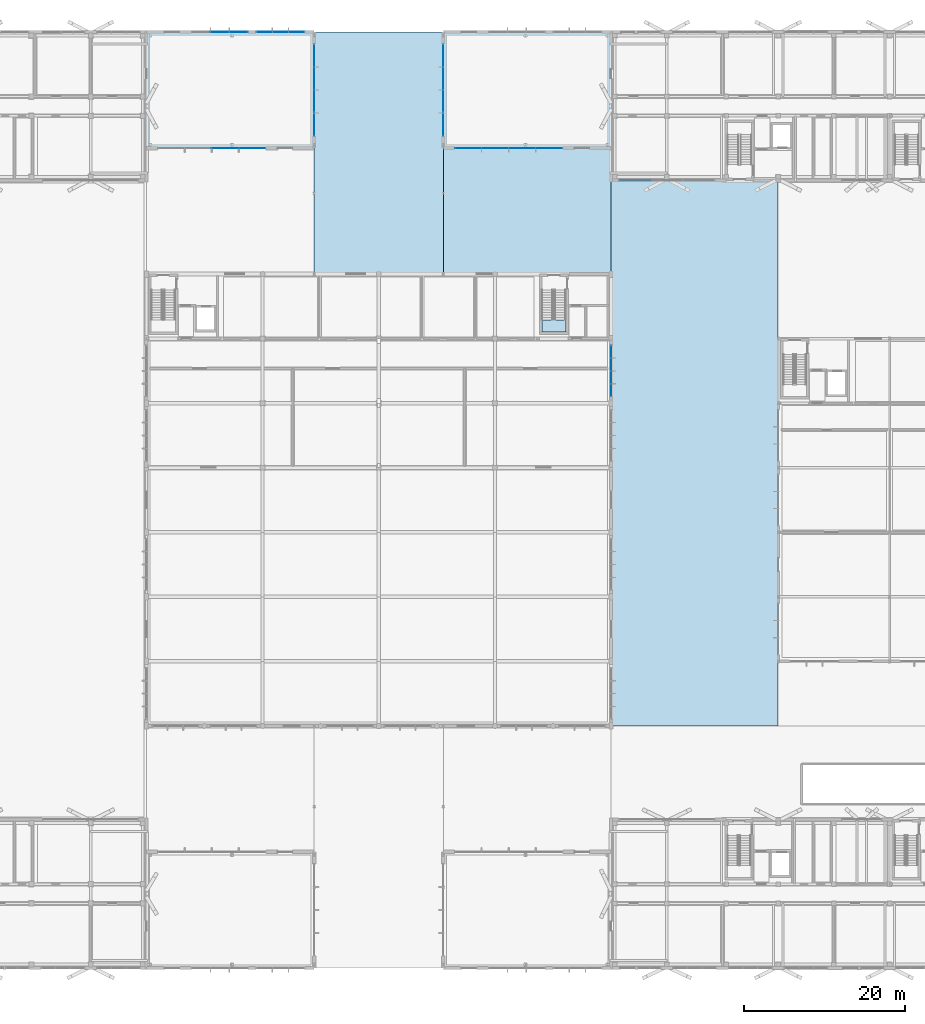
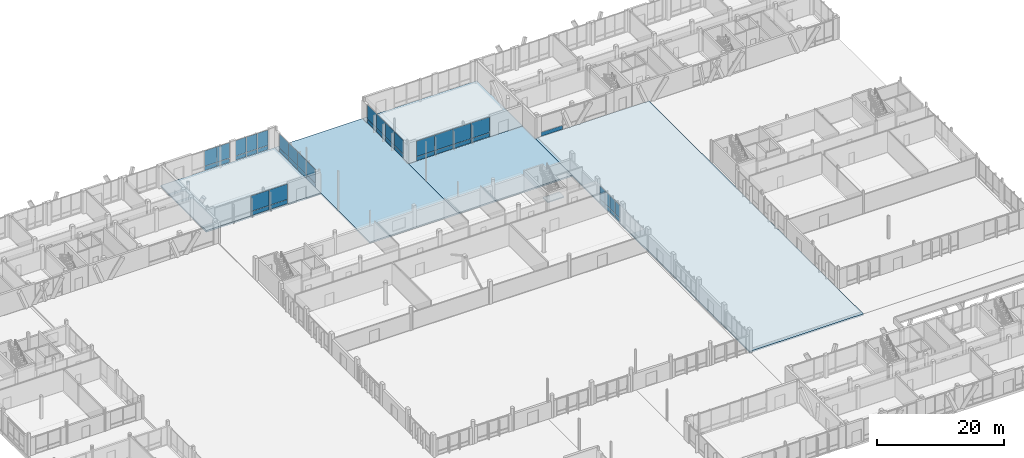
# One storey, part 184 of 233: 47 plates, 6 slabs, 9 elements without a shape of their own.
"""IFC4 building model written with IfcOpenShell, lengths in metres."""

from ifc_helpers import new_model, si_unit, direction, frame, origin, origin_2d, place, context, subcontext, project, spatial, polyline, rectangle, outline, extrude, material, layer, layer_set, type_object, element, aggregate, save


model = new_model("IFC4")

# Units and contexts
model_context = context("Model", 3, precision=1e-05, world=origin(), true_north=direction((0.0, 1.0)))
body_context = subcontext(model_context, "Body", "Model", "MODEL_VIEW")
ifc_project = project(units=[si_unit("LENGTHUNIT", "METRE"), si_unit("AREAUNIT", "SQUARE_METRE"), si_unit("VOLUMEUNIT", "CUBIC_METRE"), si_unit("PLANEANGLEUNIT", "RADIAN"), si_unit("MASSUNIT", "GRAM", prefix="KILO")], contexts=[model_context])

# Site, building, storey
site_placement = place(None, origin())
site = spatial("IfcSite", under=ifc_project, at=site_placement, CompositionType="ELEMENT")
building_placement = place(site_placement, origin())
building = spatial("IfcBuilding", under=site, at=building_placement, Name="Zavelmont Quarter", CompositionType="ELEMENT")
storey_placement = place(building_placement, origin())
storey = spatial("IfcBuildingStorey", under=building, at=storey_placement, Name="L00", CompositionType="ELEMENT", Elevation=0.0)

# Curtain wall, plates
ifc_material_1 = material(Name="Thermally broken aluminium and double low-E safety glazing", Category="aluminium")
curtain_wall_type_1 = type_object("IfcCurtainWallType", Name="CW-640X336", PredefinedType="NOTDEFINED", material=ifc_material_1)
curtain_wall_1_placement = place(storey_placement, origin())
curtain_wall_1 = element("IfcCurtainWall", 1, at=curtain_wall_1_placement, inside=storey, type_object=curtain_wall_type_1, Name="L00 unitised curtain wall CW-640X336", PredefinedType="NOTDEFINED")
ifc_material_2 = material(Name="Insulated anodised-aluminium spandrel panel", Category="aluminium")
ifc_layer_1 = layer(ifc_material_2, 0.0400390625)
ifc_layer_set_1 = layer_set([ifc_layer_1], Name="Insulated anodised-aluminium spandrel panel")
plate_type_1 = type_object("IfcPlateType", Name="CWP-SPD-1495X700", PredefinedType="CURTAIN_PANEL", material=ifc_layer_set_1)
plate_1_placement = place(storey_placement, frame((112.800048828125, 71.617431640625, 0.06982421875), z_axis=(0.0, 0.0, 1.0), x_axis=(0.0, 1.0, 0.0)))
plate_1 = element("IfcPlate", 2, at=plate_1_placement, type_object=plate_type_1, Name="CW-640X336 panel 1.1", PredefinedType="CURTAIN_PANEL", context=body_context, shape_type="SweptSolid", body=[
    extrude(rectangle(XDim=1.4951171875, YDim=0.0400390625, at=origin_2d()), origin(), (0.0, 0.0, 1.0), 0.700927734375),
])
plate_2_placement = place(storey_placement, frame((112.800048828125, 76.382568359375, 0.06982421875), z_axis=(0.0, 0.0, 1.0), x_axis=(0.0, 1.0, 0.0)))
plate_2 = element("IfcPlate", 3, at=plate_2_placement, type_object=plate_type_1, Name="CW-640X336 panel 4.1", PredefinedType="CURTAIN_PANEL", context=body_context, shape_type="SweptSolid", body=[
    extrude(rectangle(XDim=1.4951171875, YDim=0.0400390625, at=origin_2d()), origin(), (0.0, 0.0, 1.0), 0.700927734375),
])
ifc_layer_2 = layer(ifc_material_2, 0.0400390625)
ifc_layer_set_2 = layer_set([ifc_layer_2], Name="Insulated anodised-aluminium spandrel panel")
plate_type_2 = type_object("IfcPlateType", Name="CWP-SPD-1530X700", PredefinedType="CURTAIN_PANEL", material=ifc_layer_set_2)
plate_3_placement = place(storey_placement, frame((112.800048828125, 73.199951171875, 0.06982421875), z_axis=(0.0, 0.0, 1.0), x_axis=(0.0, 1.0, 0.0)))
plate_3 = element("IfcPlate", 4, at=plate_3_placement, type_object=plate_type_2, Name="CW-640X336 panel 2.1", PredefinedType="CURTAIN_PANEL", context=body_context, shape_type="SweptSolid", body=[
    extrude(rectangle(XDim=1.530029296875, YDim=0.0400390625, at=origin_2d()), origin(), (0.0, 0.0, 1.0), 0.700927734375),
])
plate_4_placement = place(storey_placement, frame((112.800048828125, 74.800048828125, 0.06982421875), z_axis=(0.0, 0.0, 1.0), x_axis=(0.0, 1.0, 0.0)))
plate_4 = element("IfcPlate", 5, at=plate_4_placement, type_object=plate_type_2, Name="CW-640X336 panel 3.1", PredefinedType="CURTAIN_PANEL", context=body_context, shape_type="SweptSolid", body=[
    extrude(rectangle(XDim=1.530029296875, YDim=0.0400390625, at=origin_2d()), origin(), (0.0, 0.0, 1.0), 0.700927734375),
])

curtain_wall_type_2 = type_object("IfcCurtainWallType", Name="CW-600X390", PredefinedType="NOTDEFINED", material=ifc_material_1)
curtain_wall_2_placement = place(storey_placement, origin())
curtain_wall_2 = element("IfcCurtainWall", 6, at=curtain_wall_2_placement, inside=storey, type_object=curtain_wall_type_2, Name="L00 unitised curtain wall CW-600X390", PredefinedType="NOTDEFINED")
ifc_layer_3 = layer(ifc_material_2, 0.0400390625)
ifc_layer_set_3 = layer_set([ifc_layer_3], Name="Insulated anodised-aluminium spandrel panel")
plate_type_3 = type_object("IfcPlateType", Name="CWP-SPD-1910X760", PredefinedType="CURTAIN_PANEL", material=ifc_layer_set_3)
plate_5_placement = place(storey_placement, frame((69.81494140625, 116.0, 0.06005859375), z_axis=(0.0, 0.0, 1.0), x_axis=(1.0, 0.0, 0.0)))
plate_5 = element("IfcPlate", 7, at=plate_5_placement, type_object=plate_type_3, Name="CW-600X390 panel 1.1", PredefinedType="CURTAIN_PANEL", context=body_context, shape_type="SweptSolid", body=[
    extrude(rectangle(XDim=1.909912109375, YDim=0.0400390625, at=origin_2d()), origin(), (0.0, 0.0, 1.0), 0.760009765625),
])
plate_6_placement = place(storey_placement, frame((73.784912109375, 116.0, 0.06005859375), z_axis=(0.0, 0.0, 1.0), x_axis=(1.0, 0.0, 0.0)))
plate_6 = element("IfcPlate", 8, at=plate_6_placement, type_object=plate_type_3, Name="CW-600X390 panel 3.1", PredefinedType="CURTAIN_PANEL", context=body_context, shape_type="SweptSolid", body=[
    extrude(rectangle(XDim=1.909912109375, YDim=0.0400390625, at=origin_2d()), origin(), (0.0, 0.0, 1.0), 0.760009765625),
])
ifc_layer_4 = layer(ifc_material_2, 0.0400390625)
ifc_layer_set_4 = layer_set([ifc_layer_4], Name="Insulated anodised-aluminium spandrel panel")
plate_type_4 = type_object("IfcPlateType", Name="CWP-SPD-1940X760", PredefinedType="CURTAIN_PANEL", material=ifc_layer_set_4)
plate_7_placement = place(storey_placement, frame((71.800048828125, 116.0, 0.06005859375), z_axis=(0.0, 0.0, 1.0), x_axis=(1.0, 0.0, 0.0)))
plate_7 = element("IfcPlate", 9, at=plate_7_placement, type_object=plate_type_4, Name="CW-600X390 panel 2.1", PredefinedType="CURTAIN_PANEL", context=body_context, shape_type="SweptSolid", body=[
    extrude(rectangle(XDim=1.93994140625, YDim=0.0400390625, at=origin_2d()), origin(), (0.0, 0.0, 1.0), 0.760009765625),
])

curtain_wall_type_3 = type_object("IfcCurtainWallType", Name="CW-700X390", PredefinedType="NOTDEFINED", material=ifc_material_1)
curtain_wall_3_placement = place(storey_placement, origin())
curtain_wall_3 = element("IfcCurtainWall", 10, at=curtain_wall_3_placement, inside=storey, type_object=curtain_wall_type_3, Name="L00 unitised curtain wall CW-700X390", PredefinedType="NOTDEFINED")
ifc_layer_5 = layer(ifc_material_2, 0.0400390625)
ifc_layer_set_5 = layer_set([ifc_layer_5], Name="Insulated anodised-aluminium spandrel panel")
plate_type_5 = type_object("IfcPlateType", Name="CWP-SPD-2245X760", PredefinedType="CURTAIN_PANEL", material=ifc_layer_set_5)
plate_8_placement = place(storey_placement, frame((66.618408203125, 116.0, 0.06005859375), z_axis=(0.0, 0.0, 1.0), x_axis=(1.0, 0.0, 0.0)))
plate_8 = element("IfcPlate", 11, at=plate_8_placement, type_object=plate_type_5, Name="CW-700X390 panel 3.1", PredefinedType="CURTAIN_PANEL", context=body_context, shape_type="SweptSolid", body=[
    extrude(rectangle(XDim=2.243408203125, YDim=0.0400390625, at=origin_2d()), origin(), (0.0, 0.0, 1.0), 0.760009765625),
])
ifc_layer_6 = layer(ifc_material_2, 0.0400390625)
ifc_layer_set_6 = layer_set([ifc_layer_6], Name="Insulated anodised-aluminium spandrel panel")
plate_type_6 = type_object("IfcPlateType", Name="CWP-SPD-2275X760", PredefinedType="CURTAIN_PANEL", material=ifc_layer_set_6)
plate_9_placement = place(storey_placement, frame((64.300048828125, 116.0, 0.06005859375), z_axis=(0.0, 0.0, 1.0), x_axis=(1.0, 0.0, 0.0)))
plate_9 = element("IfcPlate", 12, at=plate_9_placement, type_object=plate_type_6, Name="CW-700X390 panel 2.1", PredefinedType="CURTAIN_PANEL", context=body_context, shape_type="SweptSolid", body=[
    extrude(rectangle(XDim=2.2734375, YDim=0.0400390625, at=origin_2d()), origin(), (0.0, 0.0, 1.0), 0.760009765625),
])

curtain_wall_type_4 = type_object("IfcCurtainWallType", Name="CW-1140X361", PredefinedType="NOTDEFINED", material=ifc_material_1)
curtain_wall_4_placement = place(storey_placement, origin())
curtain_wall_4 = element("IfcCurtainWall", 13, at=curtain_wall_4_placement, inside=storey, type_object=curtain_wall_type_4, Name="L00 unitised curtain wall CW-1140X361", PredefinedType="NOTDEFINED")
ifc_layer_7 = layer(ifc_material_2, 0.0400390625)
ifc_layer_set_7 = layer_set([ifc_layer_7], Name="Insulated anodised-aluminium spandrel panel")
plate_type_7 = type_object("IfcPlateType", Name="CWP-SPD-2760X760", PredefinedType="CURTAIN_PANEL", material=ifc_layer_set_7)
plate_10_placement = place(storey_placement, frame((76.0, 104.5400390625, 0.06005859375), z_axis=(0.0, 0.0, 1.0), x_axis=(0.0, 1.0, 0.0)))
plate_10 = element("IfcPlate", 14, at=plate_10_placement, type_object=plate_type_7, Name="CW-1140X361 panel 1.1", PredefinedType="CURTAIN_PANEL", context=body_context, shape_type="SweptSolid", body=[
    extrude(rectangle(XDim=2.760009765625, YDim=0.0400390625, at=origin_2d()), origin(), (0.0, 0.0, 1.0), 0.760009765625),
])
plate_11_placement = place(storey_placement, frame((76.0, 113.06005859375, 0.06005859375), z_axis=(0.0, 0.0, 1.0), x_axis=(0.0, 1.0, 0.0)))
plate_11 = element("IfcPlate", 15, at=plate_11_placement, type_object=plate_type_7, Name="CW-1140X361 panel 4.1", PredefinedType="CURTAIN_PANEL", context=body_context, shape_type="SweptSolid", body=[
    extrude(rectangle(XDim=2.760009765625, YDim=0.0400390625, at=origin_2d()), origin(), (0.0, 0.0, 1.0), 0.760009765625),
])

curtain_wall_5_placement = place(storey_placement, origin())
curtain_wall_5 = element("IfcCurtainWall", 16, at=curtain_wall_5_placement, inside=storey, type_object=curtain_wall_type_4, Name="L00 unitised curtain wall CW-1140X361", PredefinedType="NOTDEFINED")
plate_12_placement = place(storey_placement, frame((92.0, 104.5400390625, 0.06005859375), z_axis=(0.0, 0.0, 1.0), x_axis=(0.0, 1.0, 0.0)))
plate_12 = element("IfcPlate", 17, at=plate_12_placement, type_object=plate_type_7, Name="CW-1140X361 panel 1.1", PredefinedType="CURTAIN_PANEL", context=body_context, shape_type="SweptSolid", body=[
    extrude(rectangle(XDim=2.760009765625, YDim=0.0400390625, at=origin_2d()), origin(), (0.0, 0.0, 1.0), 0.760009765625),
])
plate_13_placement = place(storey_placement, frame((92.0, 113.06005859375, 0.06005859375), z_axis=(0.0, 0.0, 1.0), x_axis=(0.0, 1.0, 0.0)))
plate_13 = element("IfcPlate", 18, at=plate_13_placement, type_object=plate_type_7, Name="CW-1140X361 panel 4.1", PredefinedType="CURTAIN_PANEL", context=body_context, shape_type="SweptSolid", body=[
    extrude(rectangle(XDim=2.760009765625, YDim=0.0400390625, at=origin_2d()), origin(), (0.0, 0.0, 1.0), 0.760009765625),
])

# Plate
ifc_layer_8 = layer(ifc_material_2, 0.0400390625)
ifc_layer_set_8 = layer_set([ifc_layer_8], Name="Insulated anodised-aluminium spandrel panel")
plate_type_8 = type_object("IfcPlateType", Name="CWP-SPD-2790X760", PredefinedType="CURTAIN_PANEL", material=ifc_layer_set_8)
plate_14_placement = place(storey_placement, frame((76.0, 107.375, 0.06005859375), z_axis=(0.0, 0.0, 1.0), x_axis=(0.0, 1.0, 0.0)))
plate_14 = element("IfcPlate", 19, at=plate_14_placement, type_object=plate_type_8, Name="CW-1140X361 panel 2.1", PredefinedType="CURTAIN_PANEL", context=body_context, shape_type="SweptSolid", body=[
    extrude(rectangle(XDim=2.7900390625, YDim=0.0400390625, at=origin_2d()), origin(), (0.0, 0.0, 1.0), 0.760009765625),
])

plate_15_placement = place(storey_placement, frame((76.0, 110.22509765625, 0.06005859375), z_axis=(0.0, 0.0, 1.0), x_axis=(0.0, 1.0, 0.0)))
plate_15 = element("IfcPlate", 20, at=plate_15_placement, type_object=plate_type_8, Name="CW-1140X361 panel 3.1", PredefinedType="CURTAIN_PANEL", context=body_context, shape_type="SweptSolid", body=[
    extrude(rectangle(XDim=2.7900390625, YDim=0.0400390625, at=origin_2d()), origin(), (0.0, 0.0, 1.0), 0.760009765625),
])

plate_16_placement = place(storey_placement, frame((92.0, 107.375, 0.06005859375), z_axis=(0.0, 0.0, 1.0), x_axis=(0.0, 1.0, 0.0)))
plate_16 = element("IfcPlate", 21, at=plate_16_placement, type_object=plate_type_8, Name="CW-1140X361 panel 2.1", PredefinedType="CURTAIN_PANEL", context=body_context, shape_type="SweptSolid", body=[
    extrude(rectangle(XDim=2.7900390625, YDim=0.0400390625, at=origin_2d()), origin(), (0.0, 0.0, 1.0), 0.760009765625),
])

plate_17_placement = place(storey_placement, frame((92.0, 110.22509765625, 0.06005859375), z_axis=(0.0, 0.0, 1.0), x_axis=(0.0, 1.0, 0.0)))
plate_17 = element("IfcPlate", 22, at=plate_17_placement, type_object=plate_type_8, Name="CW-1140X361 panel 3.1", PredefinedType="CURTAIN_PANEL", context=body_context, shape_type="SweptSolid", body=[
    extrude(rectangle(XDim=2.7900390625, YDim=0.0400390625, at=origin_2d()), origin(), (0.0, 0.0, 1.0), 0.760009765625),
])

# Curtain wall, plate
curtain_wall_type_5 = type_object("IfcCurtainWallType", Name="CW-1340X390", PredefinedType="NOTDEFINED", material=ifc_material_1)
curtain_wall_6_placement = place(storey_placement, origin())
curtain_wall_6 = element("IfcCurtainWall", 23, at=curtain_wall_6_placement, inside=storey, type_object=curtain_wall_type_5, Name="L00 unitised curtain wall CW-1340X390", PredefinedType="NOTDEFINED")
ifc_layer_9 = layer(ifc_material_2, 0.0400390625)
ifc_layer_set_9 = layer_set([ifc_layer_9], Name="Insulated anodised-aluminium spandrel panel")
plate_type_9 = type_object("IfcPlateType", Name="CWP-SPD-3260X760", PredefinedType="CURTAIN_PANEL", material=ifc_layer_set_9)
plate_18_placement = place(storey_placement, frame((68.31005859375, 101.60009765625, 0.06005859375), z_axis=(0.0, 0.0, 1.0), x_axis=(1.0, 0.0, 0.0)))
plate_18 = element("IfcPlate", 24, at=plate_18_placement, type_object=plate_type_9, Name="CW-1340X390 panel 4.1", PredefinedType="CURTAIN_PANEL", context=body_context, shape_type="SweptSolid", body=[
    extrude(rectangle(XDim=3.260009765625, YDim=0.0400390625, at=origin_2d()), origin(), (0.0, 0.0, 1.0), 0.760009765625),
])

# Curtain wall, plates
curtain_wall_7_placement = place(storey_placement, origin())
curtain_wall_7 = element("IfcCurtainWall", 25, at=curtain_wall_7_placement, inside=storey, type_object=curtain_wall_type_5, Name="L00 unitised curtain wall CW-1340X390", PredefinedType="NOTDEFINED")
plate_19_placement = place(storey_placement, frame((95.090087890625, 101.60009765625, 0.06005859375), z_axis=(0.0, 0.0, 1.0), x_axis=(1.0, 0.0, 0.0)))
plate_19 = element("IfcPlate", 26, at=plate_19_placement, type_object=plate_type_9, Name="CW-1340X390 panel 1.1", PredefinedType="CURTAIN_PANEL", context=body_context, shape_type="SweptSolid", body=[
    extrude(rectangle(XDim=3.260009765625, YDim=0.0400390625, at=origin_2d()), origin(), (0.0, 0.0, 1.0), 0.760009765625),
])
plate_20_placement = place(storey_placement, frame((105.110107421875, 101.60009765625, 0.06005859375), z_axis=(0.0, 0.0, 1.0), x_axis=(1.0, 0.0, 0.0)))
plate_20 = element("IfcPlate", 27, at=plate_20_placement, type_object=plate_type_9, Name="CW-1340X390 panel 4.1", PredefinedType="CURTAIN_PANEL", context=body_context, shape_type="SweptSolid", body=[
    extrude(rectangle(XDim=3.260009765625, YDim=0.0400390625, at=origin_2d()), origin(), (0.0, 0.0, 1.0), 0.760009765625),
])

# Plate
ifc_layer_10 = layer(ifc_material_2, 0.0400390625)
ifc_layer_set_10 = layer_set([ifc_layer_10], Name="Insulated anodised-aluminium spandrel panel")
plate_type_10 = type_object("IfcPlateType", Name="CWP-SPD-3290X760", PredefinedType="CURTAIN_PANEL", material=ifc_layer_set_10)
plate_21_placement = place(storey_placement, frame((64.97509765625, 101.60009765625, 0.06005859375), z_axis=(0.0, 0.0, 1.0), x_axis=(1.0, 0.0, 0.0)))
plate_21 = element("IfcPlate", 28, at=plate_21_placement, type_object=plate_type_10, Name="CW-1340X390 panel 3.1", PredefinedType="CURTAIN_PANEL", context=body_context, shape_type="SweptSolid", body=[
    extrude(rectangle(XDim=3.2900390625, YDim=0.0400390625, at=origin_2d()), origin(), (0.0, 0.0, 1.0), 0.760009765625),
])

plate_22_placement = place(storey_placement, frame((98.425048828125, 101.60009765625, 0.06005859375), z_axis=(0.0, 0.0, 1.0), x_axis=(1.0, 0.0, 0.0)))
plate_22 = element("IfcPlate", 29, at=plate_22_placement, type_object=plate_type_10, Name="CW-1340X390 panel 2.1", PredefinedType="CURTAIN_PANEL", context=body_context, shape_type="SweptSolid", body=[
    extrude(rectangle(XDim=3.2900390625, YDim=0.0400390625, at=origin_2d()), origin(), (0.0, 0.0, 1.0), 0.760009765625),
])

plate_23_placement = place(storey_placement, frame((101.77490234375, 101.60009765625, 0.06005859375), z_axis=(0.0, 0.0, 1.0), x_axis=(1.0, 0.0, 0.0)))
plate_23 = element("IfcPlate", 30, at=plate_23_placement, type_object=plate_type_10, Name="CW-1340X390 panel 3.1", PredefinedType="CURTAIN_PANEL", context=body_context, shape_type="SweptSolid", body=[
    extrude(rectangle(XDim=3.2900390625, YDim=0.0400390625, at=origin_2d()), origin(), (0.0, 0.0, 1.0), 0.760009765625),
])

# Curtain wall, plate
curtain_wall_type_6 = type_object("IfcCurtainWallType", Name="CW-1185X395", PredefinedType="NOTDEFINED", material=ifc_material_1)
curtain_wall_8_placement = place(storey_placement, origin())
curtain_wall_8 = element("IfcCurtainWall", 31, at=curtain_wall_8_placement, inside=storey, type_object=curtain_wall_type_6, Name="L00 unitised curtain wall CW-1185X395", PredefinedType="NOTDEFINED")
ifc_layer_11 = layer(ifc_material_2, 0.0400390625)
ifc_layer_set_11 = layer_set([ifc_layer_11], Name="Insulated anodised-aluminium spandrel panel")
plate_type_11 = type_object("IfcPlateType", Name="CWP-SPD-3860X760", PredefinedType="CURTAIN_PANEL", material=ifc_layer_set_11)
plate_24_placement = place(storey_placement, frame((115.7900390625, 97.60009765625, 0.06005859375), z_axis=(0.0, 0.0, 1.0), x_axis=(1.0, 0.0, 0.0)))
plate_24 = element("IfcPlate", 32, at=plate_24_placement, type_object=plate_type_11, Name="CW-1185X395 panel 1.1", PredefinedType="CURTAIN_PANEL", context=body_context, shape_type="SweptSolid", body=[
    extrude(rectangle(XDim=3.860107421875, YDim=0.0400390625, at=origin_2d()), origin(), (0.0, 0.0, 1.0), 0.760009765625),
])
aggregate(curtain_wall_8, [plate_24])

# Plate
ifc_material_3 = material(Name="Double low-E insulated vision glass", Category="glass")
ifc_layer_12 = layer(ifc_material_3, 0.028076171875)
ifc_layer_set_12 = layer_set([ifc_layer_12], Name="Double low-E insulated vision glass")
plate_type_12 = type_object("IfcPlateType", Name="CWP-VIS-1495X2450", PredefinedType="CURTAIN_PANEL", material=ifc_layer_set_12)
plate_25_placement = place(storey_placement, frame((112.800048828125, 71.617431640625, 0.8408203125), z_axis=(0.0, 0.0, 1.0), x_axis=(0.0, 1.0, 0.0)))
plate_25 = element("IfcPlate", 33, at=plate_25_placement, type_object=plate_type_12, Name="CW-640X336 panel 1.2", PredefinedType="CURTAIN_PANEL", context=body_context, shape_type="SweptSolid", body=[
    extrude(rectangle(XDim=1.4951171875, YDim=0.028076171875, at=origin_2d()), origin(), (0.0, 0.0, 1.0), 2.448974609375),
])

plate_26_placement = place(storey_placement, frame((112.800048828125, 76.382568359375, 0.8408203125), z_axis=(0.0, 0.0, 1.0), x_axis=(0.0, 1.0, 0.0)))
plate_26 = element("IfcPlate", 34, at=plate_26_placement, type_object=plate_type_12, Name="CW-640X336 panel 4.2", PredefinedType="CURTAIN_PANEL", context=body_context, shape_type="SweptSolid", body=[
    extrude(rectangle(XDim=1.4951171875, YDim=0.028076171875, at=origin_2d()), origin(), (0.0, 0.0, 1.0), 2.448974609375),
])

ifc_layer_13 = layer(ifc_material_3, 0.028076171875)
ifc_layer_set_13 = layer_set([ifc_layer_13], Name="Double low-E insulated vision glass")
plate_type_13 = type_object("IfcPlateType", Name="CWP-VIS-1530X2450", PredefinedType="CURTAIN_PANEL", material=ifc_layer_set_13)
plate_27_placement = place(storey_placement, frame((112.800048828125, 73.199951171875, 0.8408203125), z_axis=(0.0, 0.0, 1.0), x_axis=(0.0, 1.0, 0.0)))
plate_27 = element("IfcPlate", 35, at=plate_27_placement, type_object=plate_type_13, Name="CW-640X336 panel 2.2", PredefinedType="CURTAIN_PANEL", context=body_context, shape_type="SweptSolid", body=[
    extrude(rectangle(XDim=1.530029296875, YDim=0.028076171875, at=origin_2d()), origin(), (0.0, 0.0, 1.0), 2.448974609375),
])

plate_28_placement = place(storey_placement, frame((112.800048828125, 74.800048828125, 0.8408203125), z_axis=(0.0, 0.0, 1.0), x_axis=(0.0, 1.0, 0.0)))
plate_28 = element("IfcPlate", 36, at=plate_28_placement, type_object=plate_type_13, Name="CW-640X336 panel 3.2", PredefinedType="CURTAIN_PANEL", context=body_context, shape_type="SweptSolid", body=[
    extrude(rectangle(XDim=1.530029296875, YDim=0.028076171875, at=origin_2d()), origin(), (0.0, 0.0, 1.0), 2.448974609375),
])

aggregate(curtain_wall_1, [plate_1, plate_25, plate_3, plate_27, plate_4, plate_28, plate_2, plate_26])

ifc_layer_14 = layer(ifc_material_3, 0.028076171875)
ifc_layer_set_14 = layer_set([ifc_layer_14], Name="Double low-E insulated vision glass")
plate_type_14 = type_object("IfcPlateType", Name="CWP-VIS-1910X2960", PredefinedType="CURTAIN_PANEL", material=ifc_layer_set_14)
plate_29_placement = place(storey_placement, frame((69.81494140625, 116.0, 0.880126953125), z_axis=(0.0, 0.0, 1.0), x_axis=(1.0, 0.0, 0.0)))
plate_29 = element("IfcPlate", 37, at=plate_29_placement, type_object=plate_type_14, Name="CW-600X390 panel 1.2", PredefinedType="CURTAIN_PANEL", context=body_context, shape_type="SweptSolid", body=[
    extrude(rectangle(XDim=1.909912109375, YDim=0.028076171875, at=origin_2d()), origin(), (0.0, 0.0, 1.0), 2.9599609375),
])

plate_30_placement = place(storey_placement, frame((73.784912109375, 116.0, 0.880126953125), z_axis=(0.0, 0.0, 1.0), x_axis=(1.0, 0.0, 0.0)))
plate_30 = element("IfcPlate", 38, at=plate_30_placement, type_object=plate_type_14, Name="CW-600X390 panel 3.2", PredefinedType="CURTAIN_PANEL", context=body_context, shape_type="SweptSolid", body=[
    extrude(rectangle(XDim=1.909912109375, YDim=0.028076171875, at=origin_2d()), origin(), (0.0, 0.0, 1.0), 2.9599609375),
])

ifc_layer_15 = layer(ifc_material_3, 0.028076171875)
ifc_layer_set_15 = layer_set([ifc_layer_15], Name="Double low-E insulated vision glass")
plate_type_15 = type_object("IfcPlateType", Name="CWP-VIS-1940X2960", PredefinedType="CURTAIN_PANEL", material=ifc_layer_set_15)
plate_31_placement = place(storey_placement, frame((71.800048828125, 116.0, 0.880126953125), z_axis=(0.0, 0.0, 1.0), x_axis=(1.0, 0.0, 0.0)))
plate_31 = element("IfcPlate", 39, at=plate_31_placement, type_object=plate_type_15, Name="CW-600X390 panel 2.2", PredefinedType="CURTAIN_PANEL", context=body_context, shape_type="SweptSolid", body=[
    extrude(rectangle(XDim=1.93994140625, YDim=0.028076171875, at=origin_2d()), origin(), (0.0, 0.0, 1.0), 2.9599609375),
])

aggregate(curtain_wall_2, [plate_5, plate_29, plate_7, plate_31, plate_6, plate_30])

ifc_layer_16 = layer(ifc_material_3, 0.028076171875)
ifc_layer_set_16 = layer_set([ifc_layer_16], Name="Double low-E insulated vision glass")
plate_type_16 = type_object("IfcPlateType", Name="CWP-VIS-2245X2960", PredefinedType="CURTAIN_PANEL", material=ifc_layer_set_16)
plate_32_placement = place(storey_placement, frame((66.618408203125, 116.0, 0.880126953125), z_axis=(0.0, 0.0, 1.0), x_axis=(1.0, 0.0, 0.0)))
plate_32 = element("IfcPlate", 40, at=plate_32_placement, type_object=plate_type_16, Name="CW-700X390 panel 3.2", PredefinedType="CURTAIN_PANEL", context=body_context, shape_type="SweptSolid", body=[
    extrude(rectangle(XDim=2.243408203125, YDim=0.028076171875, at=origin_2d()), origin(), (0.0, 0.0, 1.0), 2.9599609375),
])

ifc_layer_17 = layer(ifc_material_3, 0.028076171875)
ifc_layer_set_17 = layer_set([ifc_layer_17], Name="Double low-E insulated vision glass")
plate_type_17 = type_object("IfcPlateType", Name="CWP-VIS-2275X2960", PredefinedType="CURTAIN_PANEL", material=ifc_layer_set_17)
plate_33_placement = place(storey_placement, frame((64.300048828125, 116.0, 0.880126953125), z_axis=(0.0, 0.0, 1.0), x_axis=(1.0, 0.0, 0.0)))
plate_33 = element("IfcPlate", 41, at=plate_33_placement, type_object=plate_type_17, Name="CW-700X390 panel 2.2", PredefinedType="CURTAIN_PANEL", context=body_context, shape_type="SweptSolid", body=[
    extrude(rectangle(XDim=2.2734375, YDim=0.028076171875, at=origin_2d()), origin(), (0.0, 0.0, 1.0), 2.9599609375),
])

aggregate(curtain_wall_3, [plate_9, plate_33, plate_8, plate_32])

ifc_layer_18 = layer(ifc_material_3, 0.028076171875)
ifc_layer_set_18 = layer_set([ifc_layer_18], Name="Double low-E insulated vision glass")
plate_type_18 = type_object("IfcPlateType", Name="CWP-VIS-2760X2670", PredefinedType="CURTAIN_PANEL", material=ifc_layer_set_18)
plate_34_placement = place(storey_placement, frame((76.0, 104.5400390625, 0.880126953125), z_axis=(0.0, 0.0, 1.0), x_axis=(0.0, 1.0, 0.0)))
plate_34 = element("IfcPlate", 42, at=plate_34_placement, type_object=plate_type_18, Name="CW-1140X361 panel 1.2", PredefinedType="CURTAIN_PANEL", context=body_context, shape_type="SweptSolid", body=[
    extrude(rectangle(XDim=2.760009765625, YDim=0.028076171875, at=origin_2d()), origin(), (0.0, 0.0, 1.0), 2.669921875),
])

plate_35_placement = place(storey_placement, frame((76.0, 113.06005859375, 0.880126953125), z_axis=(0.0, 0.0, 1.0), x_axis=(0.0, 1.0, 0.0)))
plate_35 = element("IfcPlate", 43, at=plate_35_placement, type_object=plate_type_18, Name="CW-1140X361 panel 4.2", PredefinedType="CURTAIN_PANEL", context=body_context, shape_type="SweptSolid", body=[
    extrude(rectangle(XDim=2.760009765625, YDim=0.028076171875, at=origin_2d()), origin(), (0.0, 0.0, 1.0), 2.669921875),
])

plate_36_placement = place(storey_placement, frame((92.0, 104.5400390625, 0.880126953125), z_axis=(0.0, 0.0, 1.0), x_axis=(0.0, 1.0, 0.0)))
plate_36 = element("IfcPlate", 44, at=plate_36_placement, type_object=plate_type_18, Name="CW-1140X361 panel 1.2", PredefinedType="CURTAIN_PANEL", context=body_context, shape_type="SweptSolid", body=[
    extrude(rectangle(XDim=2.760009765625, YDim=0.028076171875, at=origin_2d()), origin(), (0.0, 0.0, 1.0), 2.669921875),
])

plate_37_placement = place(storey_placement, frame((92.0, 113.06005859375, 0.880126953125), z_axis=(0.0, 0.0, 1.0), x_axis=(0.0, 1.0, 0.0)))
plate_37 = element("IfcPlate", 45, at=plate_37_placement, type_object=plate_type_18, Name="CW-1140X361 panel 4.2", PredefinedType="CURTAIN_PANEL", context=body_context, shape_type="SweptSolid", body=[
    extrude(rectangle(XDim=2.760009765625, YDim=0.028076171875, at=origin_2d()), origin(), (0.0, 0.0, 1.0), 2.669921875),
])

ifc_layer_19 = layer(ifc_material_3, 0.028076171875)
ifc_layer_set_19 = layer_set([ifc_layer_19], Name="Double low-E insulated vision glass")
plate_type_19 = type_object("IfcPlateType", Name="CWP-VIS-2790X2670", PredefinedType="CURTAIN_PANEL", material=ifc_layer_set_19)
plate_38_placement = place(storey_placement, frame((76.0, 107.375, 0.880126953125), z_axis=(0.0, 0.0, 1.0), x_axis=(0.0, 1.0, 0.0)))
plate_38 = element("IfcPlate", 46, at=plate_38_placement, type_object=plate_type_19, Name="CW-1140X361 panel 2.2", PredefinedType="CURTAIN_PANEL", context=body_context, shape_type="SweptSolid", body=[
    extrude(rectangle(XDim=2.7900390625, YDim=0.028076171875, at=origin_2d()), origin(), (0.0, 0.0, 1.0), 2.669921875),
])

plate_39_placement = place(storey_placement, frame((76.0, 110.22509765625, 0.880126953125), z_axis=(0.0, 0.0, 1.0), x_axis=(0.0, 1.0, 0.0)))
plate_39 = element("IfcPlate", 47, at=plate_39_placement, type_object=plate_type_19, Name="CW-1140X361 panel 3.2", PredefinedType="CURTAIN_PANEL", context=body_context, shape_type="SweptSolid", body=[
    extrude(rectangle(XDim=2.7900390625, YDim=0.028076171875, at=origin_2d()), origin(), (0.0, 0.0, 1.0), 2.669921875),
])

aggregate(curtain_wall_4, [plate_10, plate_34, plate_14, plate_38, plate_15, plate_39, plate_11, plate_35])

plate_40_placement = place(storey_placement, frame((92.0, 107.375, 0.880126953125), z_axis=(0.0, 0.0, 1.0), x_axis=(0.0, 1.0, 0.0)))
plate_40 = element("IfcPlate", 48, at=plate_40_placement, type_object=plate_type_19, Name="CW-1140X361 panel 2.2", PredefinedType="CURTAIN_PANEL", context=body_context, shape_type="SweptSolid", body=[
    extrude(rectangle(XDim=2.7900390625, YDim=0.028076171875, at=origin_2d()), origin(), (0.0, 0.0, 1.0), 2.669921875),
])

plate_41_placement = place(storey_placement, frame((92.0, 110.22509765625, 0.880126953125), z_axis=(0.0, 0.0, 1.0), x_axis=(0.0, 1.0, 0.0)))
plate_41 = element("IfcPlate", 49, at=plate_41_placement, type_object=plate_type_19, Name="CW-1140X361 panel 3.2", PredefinedType="CURTAIN_PANEL", context=body_context, shape_type="SweptSolid", body=[
    extrude(rectangle(XDim=2.7900390625, YDim=0.028076171875, at=origin_2d()), origin(), (0.0, 0.0, 1.0), 2.669921875),
])

aggregate(curtain_wall_5, [plate_12, plate_36, plate_16, plate_40, plate_17, plate_41, plate_13, plate_37])

ifc_layer_20 = layer(ifc_material_3, 0.028076171875)
ifc_layer_set_20 = layer_set([ifc_layer_20], Name="Double low-E insulated vision glass")
plate_type_20 = type_object("IfcPlateType", Name="CWP-VIS-3260X2960", PredefinedType="CURTAIN_PANEL", material=ifc_layer_set_20)
plate_42_placement = place(storey_placement, frame((68.31005859375, 101.60009765625, 0.880126953125), z_axis=(0.0, 0.0, 1.0), x_axis=(1.0, 0.0, 0.0)))
plate_42 = element("IfcPlate", 50, at=plate_42_placement, type_object=plate_type_20, Name="CW-1340X390 panel 4.2", PredefinedType="CURTAIN_PANEL", context=body_context, shape_type="SweptSolid", body=[
    extrude(rectangle(XDim=3.260009765625, YDim=0.028076171875, at=origin_2d()), origin(), (0.0, 0.0, 1.0), 2.9599609375),
])

plate_43_placement = place(storey_placement, frame((95.090087890625, 101.60009765625, 0.880126953125), z_axis=(0.0, 0.0, 1.0), x_axis=(1.0, 0.0, 0.0)))
plate_43 = element("IfcPlate", 51, at=plate_43_placement, type_object=plate_type_20, Name="CW-1340X390 panel 1.2", PredefinedType="CURTAIN_PANEL", context=body_context, shape_type="SweptSolid", body=[
    extrude(rectangle(XDim=3.260009765625, YDim=0.028076171875, at=origin_2d()), origin(), (0.0, 0.0, 1.0), 2.9599609375),
])

plate_44_placement = place(storey_placement, frame((105.110107421875, 101.60009765625, 0.880126953125), z_axis=(0.0, 0.0, 1.0), x_axis=(1.0, 0.0, 0.0)))
plate_44 = element("IfcPlate", 52, at=plate_44_placement, type_object=plate_type_20, Name="CW-1340X390 panel 4.2", PredefinedType="CURTAIN_PANEL", context=body_context, shape_type="SweptSolid", body=[
    extrude(rectangle(XDim=3.260009765625, YDim=0.028076171875, at=origin_2d()), origin(), (0.0, 0.0, 1.0), 2.9599609375),
])

ifc_layer_21 = layer(ifc_material_3, 0.028076171875)
ifc_layer_set_21 = layer_set([ifc_layer_21], Name="Double low-E insulated vision glass")
plate_type_21 = type_object("IfcPlateType", Name="CWP-VIS-3290X2960", PredefinedType="CURTAIN_PANEL", material=ifc_layer_set_21)
plate_45_placement = place(storey_placement, frame((64.97509765625, 101.60009765625, 0.880126953125), z_axis=(0.0, 0.0, 1.0), x_axis=(1.0, 0.0, 0.0)))
plate_45 = element("IfcPlate", 53, at=plate_45_placement, type_object=plate_type_21, Name="CW-1340X390 panel 3.2", PredefinedType="CURTAIN_PANEL", context=body_context, shape_type="SweptSolid", body=[
    extrude(rectangle(XDim=3.2900390625, YDim=0.028076171875, at=origin_2d()), origin(), (0.0, 0.0, 1.0), 2.9599609375),
])

aggregate(curtain_wall_6, [plate_21, plate_45, plate_18, plate_42])

plate_46_placement = place(storey_placement, frame((98.425048828125, 101.60009765625, 0.880126953125), z_axis=(0.0, 0.0, 1.0), x_axis=(1.0, 0.0, 0.0)))
plate_46 = element("IfcPlate", 54, at=plate_46_placement, type_object=plate_type_21, Name="CW-1340X390 panel 2.2", PredefinedType="CURTAIN_PANEL", context=body_context, shape_type="SweptSolid", body=[
    extrude(rectangle(XDim=3.2900390625, YDim=0.028076171875, at=origin_2d()), origin(), (0.0, 0.0, 1.0), 2.9599609375),
])

plate_47_placement = place(storey_placement, frame((101.77490234375, 101.60009765625, 0.880126953125), z_axis=(0.0, 0.0, 1.0), x_axis=(1.0, 0.0, 0.0)))
plate_47 = element("IfcPlate", 55, at=plate_47_placement, type_object=plate_type_21, Name="CW-1340X390 panel 3.2", PredefinedType="CURTAIN_PANEL", context=body_context, shape_type="SweptSolid", body=[
    extrude(rectangle(XDim=3.2900390625, YDim=0.028076171875, at=origin_2d()), origin(), (0.0, 0.0, 1.0), 2.9599609375),
])

aggregate(curtain_wall_7, [plate_19, plate_43, plate_22, plate_46, plate_23, plate_47, plate_20, plate_44])

# Slabs
ifc_material_4 = material(Name="Concrete C40/50", Category="concrete")
ifc_layer_22 = layer(ifc_material_4, 0.320068359375)
ifc_layer_set_22 = layer_set([ifc_layer_22], Name="Concrete C40/50")
slab_type_1 = type_object("IfcSlabType", Name="SL-FL320", PredefinedType="FLOOR", material=ifc_layer_set_22)
slab_1_placement = place(storey_placement, frame((0.0, 0.0, -0.320068359375)))
element("IfcSlab", 56, at=slab_1_placement, inside=storey, type_object=slab_type_1, Name="L00 North-West Street Arcade Wing L00 floor SL-FL320", PredefinedType="FLOOR", context=body_context, shape_type="SweptSolid", body=[
    extrude(outline(polyline([(55.199951171875, 101.60009765625), (76.0, 101.60009765625), (76.0, 116.0), (55.199951171875, 116.0), (55.199951171875, 101.60009765625)])), origin(), (0.0, 0.0, 1.0), 0.320068359375),
])
slab_2_placement = place(storey_placement, frame((0.0, 0.0, -0.320068359375)))
element("IfcSlab", 57, at=slab_2_placement, inside=storey, type_object=slab_type_1, Name="L00 North-East Street Arcade Wing L00 floor SL-FL320", PredefinedType="FLOOR", context=body_context, shape_type="SweptSolid", body=[
    extrude(outline(polyline([(92.0, 101.60009765625), (112.800048828125, 101.60009765625), (112.800048828125, 116.0), (92.0, 116.0), (92.0, 101.60009765625)])), origin(), (0.0, 0.0, 1.0), 0.320068359375),
])

# Stair, slab
ifc_material_5 = material(Name="Concrete C35/45", Category="concrete")
stair_type = type_object("IfcStairType", Name="STR-1400-1692", PredefinedType="HALF_TURN_STAIR", material=ifc_material_5)
stair_placement = place(storey_placement, origin())
stair = element("IfcStair", 58, at=stair_placement, inside=storey, type_object=stair_type, Name="L00 protected stair ST10", PredefinedType="HALF_TURN_STAIR")
ifc_layer_23 = layer(ifc_material_5, 0.199951171875)
ifc_layer_set_23 = layer_set([ifc_layer_23], Name="Concrete C35/45")
slab_type_2 = type_object("IfcSlabType", Name="SL-LND200", PredefinedType="LANDING", material=ifc_layer_set_23)
slab_3_placement = place(storey_placement, frame((0.0, 0.0, 2.0)))
slab_3 = element("IfcSlab", 59, at=slab_3_placement, type_object=slab_type_2, Name="ST10 landing 1", PredefinedType="LANDING", context=body_context, shape_type="SweptSolid", body=[
    extrude(outline(polyline([(104.199951171875, 80.330078125), (104.199951171875, 78.800048828125), (107.199951171875, 78.800048828125), (107.199951171875, 80.330078125), (104.199951171875, 80.330078125)])), origin(), (0.0, 0.0, 1.0), 0.199951171875),
])
aggregate(stair, [slab_3])

# Slabs
ifc_layer_24 = layer(ifc_material_5, 0.2900390625)
ifc_layer_set_24 = layer_set([ifc_layer_24], Name="Concrete C35/45")
slab_type_3 = type_object("IfcSlabType", Name="SL-RF290", PredefinedType="ROOF", material=ifc_layer_set_24)
slab_4_placement = place(storey_placement, frame((0.0, 0.0, -0.2900390625)))
element("IfcSlab", 60, at=slab_4_placement, inside=storey, type_object=slab_type_3, Name="L00 North-Central Covered Passage court SL-RF290", PredefinedType="ROOF", context=body_context, shape_type="SweptSolid", body=[
    extrude(outline(polyline([(76.0, 86.0), (92.0, 86.0), (92.0, 116.0), (76.0, 116.0), (76.0, 86.0)])), origin(), (0.0, 0.0, 1.0), 0.2900390625),
])
slab_5_placement = place(storey_placement, frame((0.0, 0.0, -0.2900390625)))
element("IfcSlab", 61, at=slab_5_placement, inside=storey, type_object=slab_type_3, Name="L00 North-East garden court SL-RF290", PredefinedType="ROOF", context=body_context, shape_type="SweptSolid", body=[
    extrude(outline(polyline([(92.0, 86.0), (112.800048828125, 86.0), (112.800048828125, 101.60009765625), (92.0, 101.60009765625), (92.0, 86.0)])), origin(), (0.0, 0.0, 1.0), 0.2900390625),
])
slab_6_placement = place(storey_placement, frame((0.0, 0.0, -0.2900390625)))
element("IfcSlab", 62, at=slab_6_placement, inside=storey, type_object=slab_type_3, Name="L00 East landscaped nursery court plinth SL-RF290", PredefinedType="ROOF", context=body_context, shape_type="SweptSolid", body=[
    extrude(outline(polyline([(112.800048828125, 30.0), (133.5, 30.0), (133.5, 97.60009765625), (112.800048828125, 97.60009765625), (112.800048828125, 30.0)])), origin(), (0.0, 0.0, 1.0), 0.2900390625),
])

save(model, "model.ifc")
